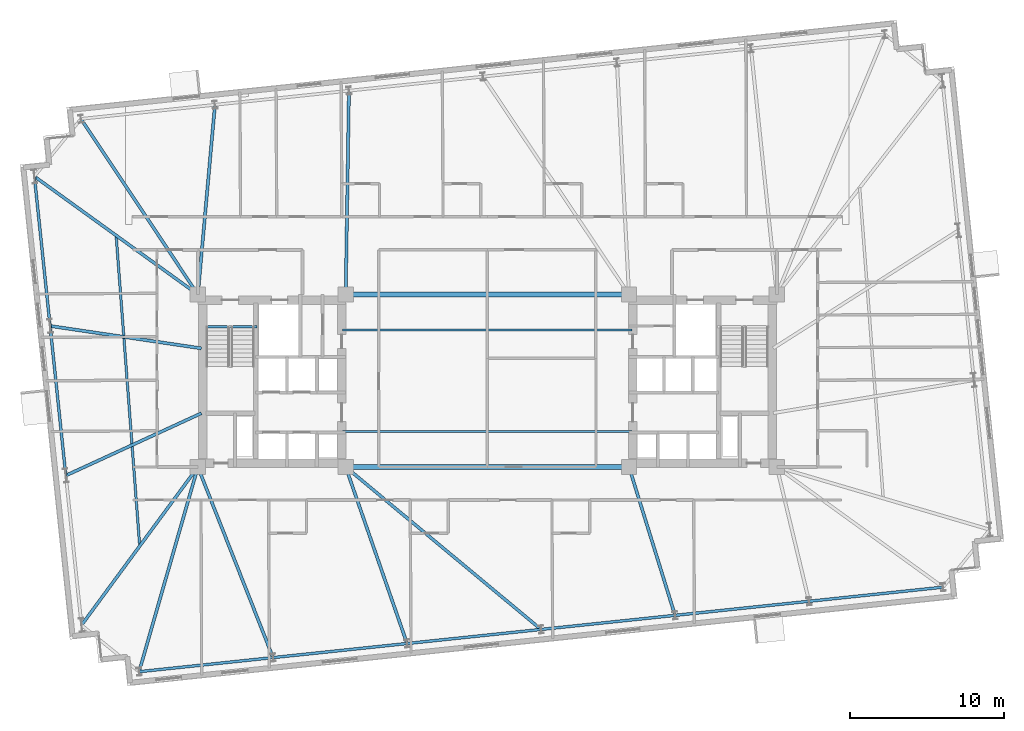
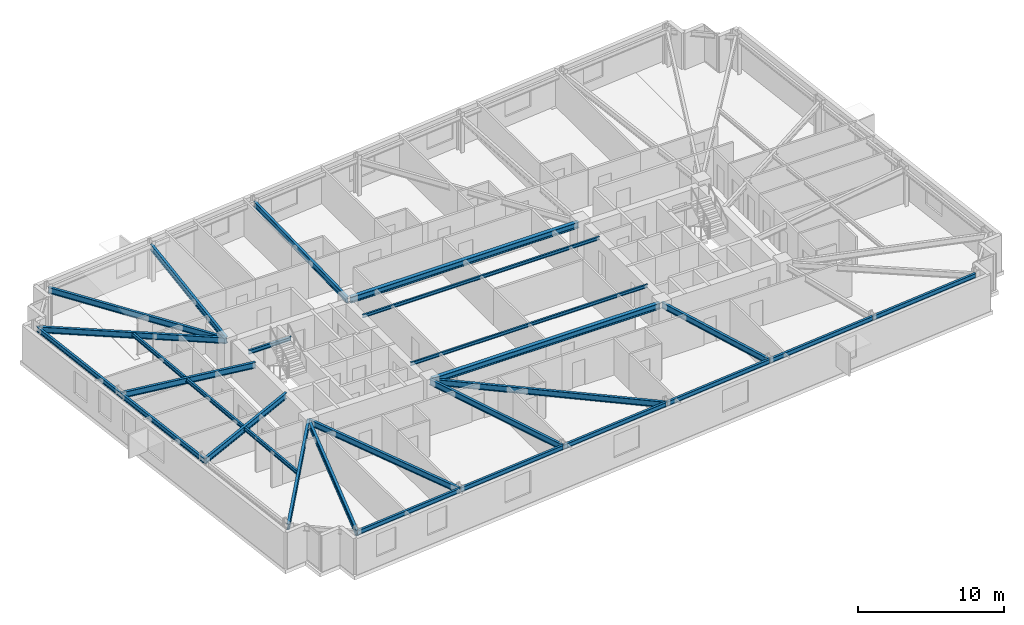
# One storey, part 5 of 20: 26 beams.
"""IFC4 building model written with IfcOpenShell, lengths in metres."""

from ifc_helpers import new_model, si_unit, direction, frame, origin, origin_2d, place, context, subcontext, project, spatial, i_section, extrude, material, material_profile, profile_set, type_object, element, save


model = new_model("IFC4")

# Units and contexts
model_context = context("Model", 3, precision=1e-05, world=origin(), true_north=direction((0.0, 1.0)))
body_context = subcontext(model_context, "Body", "Model", "MODEL_VIEW")
ifc_project = project(units=[si_unit("LENGTHUNIT", "METRE"), si_unit("AREAUNIT", "SQUARE_METRE"), si_unit("VOLUMEUNIT", "CUBIC_METRE"), si_unit("PLANEANGLEUNIT", "RADIAN"), si_unit("MASSUNIT", "GRAM", prefix="KILO")], contexts=[model_context])

# Site, building, storey
site_placement = place(None, origin())
site = spatial("IfcSite", under=ifc_project, at=site_placement, CompositionType="ELEMENT")
building_placement = place(site_placement, origin())
building = spatial("IfcBuilding", under=site, at=building_placement, Name="Qobustan Lattice House", CompositionType="ELEMENT")
storey_placement = place(building_placement, frame((0.0, 0.0, 89.050048828125)))
storey = spatial("IfcBuildingStorey", under=building, at=storey_placement, Name="L24", CompositionType="ELEMENT", Elevation=89.050048828125)

# Beams
ifc_material_1 = material(Name="Steel S355", Category="steel")
ifc_material_profile_1 = material_profile(ifc_material_1, i_section(OverallWidth=0.300048828125, OverallDepth=0.5, WebThickness=0.014404296875, FlangeThickness=0.028076171875, FilletRadius=0.027099609375, at=origin_2d()), Name="HEB500")
ifc_profile_set_1 = profile_set([ifc_material_profile_1], Name="Steel S355")
beam_type_1 = type_object("IfcBeamType", Name="BM-CG-HEB500", PredefinedType="USERDEFINED", material=ifc_profile_set_1)
for number, where, z_axis, x_axis, name in (
    (1, (-9.050048828125, -5.60009765625, 2.794921875), (1.0, 0.0, 0.0), (0.0, 1.0, 0.0), "L24 core spine girder CG-CS"),
    (2, (-9.050048828125, 5.60009765625, 2.794921875), (1.0, 0.0, 0.0), (0.0, 1.0, 0.0), "L24 core spine girder CG-CN"),
):
    element("IfcBeam", number, at=place(storey_placement, frame(where, z_axis=z_axis, x_axis=x_axis)), inside=storey, type_object=beam_type_1, Name=name, ObjectType="GIRDER", PredefinedType="USERDEFINED", context=body_context, shape_type="SweptSolid", body=[
        extrude(i_section(OverallWidth=0.300048828125, OverallDepth=0.5, WebThickness=0.014404296875, FlangeThickness=0.028076171875, FilletRadius=0.027099609375, at=origin_2d()), origin(), (0.0, 0.0, 1.0), 18.10009765625),
    ])
ifc_material_2 = material(Name="Steel S355", Category="steel")
ifc_material_profile_2 = material_profile(ifc_material_2, i_section(OverallWidth=0.199951171875, OverallDepth=0.5, WebThickness=0.01025390625, FlangeThickness=0.01611328125, FilletRadius=0.02099609375, at=origin_2d()), Name="IPE500")
ifc_profile_set_2 = profile_set([ifc_material_profile_2], Name="Steel S355")
beam_type_2 = type_object("IfcBeamType", Name="BM-FLG-IPE500", PredefinedType="USERDEFINED", material=ifc_profile_set_2)
beam_1_placement = place(storey_placement, frame((-22.612548828125, -18.87109375, 2.794921875), z_axis=(0.276115177845, 0.961124554136, 0.0), x_axis=(-0.961124554136, 0.276115177845, 0.0)))
element("IfcBeam", 3, at=beam_1_placement, inside=storey, type_object=beam_type_2, Name="L24 primary floor girder RAD-S1W", ObjectType="GIRDER", PredefinedType="USERDEFINED", context=body_context, shape_type="SweptSolid", body=[
    extrude(i_section(OverallWidth=0.199951171875, OverallDepth=0.5, WebThickness=0.01025390625, FlangeThickness=0.01611328125, FilletRadius=0.02099609375, at=origin_2d()), origin(), (0.0, 0.0, 1.0), 13.782958984375),
])
beam_2_placement = place(storey_placement, frame((-13.926513671875, -17.95703125, 2.794921875), z_axis=(-0.366884358141, 0.930266557365, 0.0), x_axis=(-0.930266557365, -0.366884358141, 0.0)))
element("IfcBeam", 4, at=beam_2_placement, inside=storey, type_object=beam_type_2, Name="L24 primary floor girder RAD-S2", ObjectType="GIRDER", PredefinedType="USERDEFINED", context=body_context, shape_type="SweptSolid", body=[
    extrude(i_section(OverallWidth=0.199951171875, OverallDepth=0.5, WebThickness=0.01025390625, FlangeThickness=0.01611328125, FilletRadius=0.02099609375, at=origin_2d()), origin(), (0.0, 0.0, 1.0), 13.25830078125),
])
beam_3_placement = place(storey_placement, frame((-5.223388671875, -17.0419921875, 2.794921875), z_axis=(-0.328289533586, 0.94457714462, 0.0), x_axis=(-0.94457714462, -0.328289533586, 0.0)))
element("IfcBeam", 5, at=beam_3_placement, inside=storey, type_object=beam_type_2, Name="L24 primary floor girder RAD-S3", ObjectType="GIRDER", PredefinedType="USERDEFINED", context=body_context, shape_type="SweptSolid", body=[
    extrude(i_section(OverallWidth=0.199951171875, OverallDepth=0.5, WebThickness=0.01025390625, FlangeThickness=0.01611328125, FilletRadius=0.02099609375, at=origin_2d()), origin(), (0.0, 0.0, 1.0), 12.08837890625),
])
beam_4_placement = place(storey_placement, frame((3.467529296875, -16.135009765625, 2.794921875), z_axis=(-0.768858311844, 0.639419186691, 0.0), x_axis=(-0.639419186691, -0.768858311844, 0.0)))
element("IfcBeam", 6, at=beam_4_placement, inside=storey, type_object=beam_type_2, Name="L24 primary floor girder RAD-S4", ObjectType="GIRDER", PredefinedType="USERDEFINED", context=body_context, shape_type="SweptSolid", body=[
    extrude(i_section(OverallWidth=0.199951171875, OverallDepth=0.5, WebThickness=0.01025390625, FlangeThickness=0.01611328125, FilletRadius=0.02099609375, at=origin_2d()), origin(), (0.0, 0.0, 1.0), 16.450927734375),
])
beam_5_placement = place(storey_placement, frame((12.181396484375, -15.212646484375, 2.794921875), z_axis=(-0.296219460995, 0.955119903953, 0.0), x_axis=(-0.955119903953, -0.296219460995, 0.0)))
element("IfcBeam", 7, at=beam_5_placement, inside=storey, type_object=beam_type_2, Name="L24 primary floor girder RAD-S5", ObjectType="GIRDER", PredefinedType="USERDEFINED", context=body_context, shape_type="SweptSolid", body=[
    extrude(i_section(OverallWidth=0.199951171875, OverallDepth=0.5, WebThickness=0.01025390625, FlangeThickness=0.01611328125, FilletRadius=0.02099609375, at=origin_2d()), origin(), (0.0, 0.0, 1.0), 10.03955078125),
])
beam_6_placement = place(storey_placement, frame((-26.37890625, 16.986328125, 2.794921875), z_axis=(0.5540893103, -0.832457227857, 0.0), x_axis=(0.832457227857, 0.5540893103, 0.0)))
element("IfcBeam", 8, at=beam_6_placement, inside=storey, type_object=beam_type_2, Name="L24 primary floor girder RAD-N7W", ObjectType="GIRDER", PredefinedType="USERDEFINED", context=body_context, shape_type="SweptSolid", body=[
    extrude(i_section(OverallWidth=0.199951171875, OverallDepth=0.5, WebThickness=0.01025390625, FlangeThickness=0.01611328125, FilletRadius=0.02099609375, at=origin_2d()), origin(), (0.0, 0.0, 1.0), 13.65283203125),
])
beam_7_placement = place(storey_placement, frame((-17.693115234375, 17.89697265625, 2.794921875), z_axis=(-0.089658533603, -0.995972563554, 0.0), x_axis=(0.995972563554, -0.089658533603, 0.0)))
element("IfcBeam", 9, at=beam_7_placement, inside=storey, type_object=beam_type_2, Name="L24 primary floor girder RAD-N6", ObjectType="GIRDER", PredefinedType="USERDEFINED", context=body_context, shape_type="SweptSolid", body=[
    extrude(i_section(OverallWidth=0.199951171875, OverallDepth=0.5, WebThickness=0.01025390625, FlangeThickness=0.01611328125, FilletRadius=0.02099609375, at=origin_2d()), origin(), (0.0, 0.0, 1.0), 12.321533203125),
])
beam_8_placement = place(storey_placement, frame((-8.9892578125, 18.8115234375, 2.794921875), z_axis=(-0.015957384359, -0.999872672836, 0.0), x_axis=(0.999872672836, -0.015957384359, 0.0)))
element("IfcBeam", 10, at=beam_8_placement, inside=storey, type_object=beam_type_2, Name="L24 primary floor girder RAD-N5", ObjectType="GIRDER", PredefinedType="USERDEFINED", context=body_context, shape_type="SweptSolid", body=[
    extrude(i_section(OverallWidth=0.199951171875, OverallDepth=0.5, WebThickness=0.01025390625, FlangeThickness=0.01611328125, FilletRadius=0.02099609375, at=origin_2d()), origin(), (0.0, 0.0, 1.0), 13.188232421875),
])
beam_9_placement = place(storey_placement, frame((-29.398681640625, 13.255859375, 2.794921875), z_axis=(0.810627425394, -0.585562274399, 0.0), x_axis=(0.585562274399, 0.810627425394, 0.0)))
element("IfcBeam", 11, at=beam_9_placement, inside=storey, type_object=beam_type_2, Name="L24 primary floor girder RAD-W1", ObjectType="GIRDER", PredefinedType="USERDEFINED", context=body_context, shape_type="SweptSolid", body=[
    extrude(i_section(OverallWidth=0.199951171875, OverallDepth=0.5, WebThickness=0.01025390625, FlangeThickness=0.01611328125, FilletRadius=0.02099609375, at=origin_2d()), origin(), (0.0, 0.0, 1.0), 13.049560546875),
])
beam_10_placement = place(storey_placement, frame((-28.373291015625, 3.5537109375, 2.794921875), z_axis=(0.989228195022, -0.146381618294, 0.0), x_axis=(0.146381618294, 0.989228195022, 0.0)))
element("IfcBeam", 12, at=beam_10_placement, inside=storey, type_object=beam_type_2, Name="L24 primary floor girder RAD-W2", ObjectType="GIRDER", PredefinedType="USERDEFINED", context=body_context, shape_type="SweptSolid", body=[
    extrude(i_section(OverallWidth=0.199951171875, OverallDepth=0.5, WebThickness=0.01025390625, FlangeThickness=0.01611328125, FilletRadius=0.02099609375, at=origin_2d()), origin(), (0.0, 0.0, 1.0), 9.9052734375),
])
beam_11_placement = place(storey_placement, frame((-27.3544921875, -6.1455078125, 2.794921875), z_axis=(0.908664928826, 0.417526103521, 0.0), x_axis=(-0.417526103521, 0.908664928826, 0.0)))
element("IfcBeam", 13, at=beam_11_placement, inside=storey, type_object=beam_type_2, Name="L24 primary floor girder RAD-W3", ObjectType="GIRDER", PredefinedType="USERDEFINED", context=body_context, shape_type="SweptSolid", body=[
    extrude(i_section(OverallWidth=0.199951171875, OverallDepth=0.5, WebThickness=0.01025390625, FlangeThickness=0.01611328125, FilletRadius=0.02099609375, at=origin_2d()), origin(), (0.0, 0.0, 1.0), 9.66455078125),
])
beam_12_placement = place(storey_placement, frame((-26.34130859375, -15.848876953125, 2.794921875), z_axis=(0.592669703312, 0.805445605101, 0.0), x_axis=(-0.805445605101, 0.592669703312, 0.0)))
element("IfcBeam", 14, at=beam_12_placement, inside=storey, type_object=beam_type_2, Name="L24 primary floor girder RAD-W4", ObjectType="GIRDER", PredefinedType="USERDEFINED", context=body_context, shape_type="SweptSolid", body=[
    extrude(i_section(OverallWidth=0.199951171875, OverallDepth=0.5, WebThickness=0.01025390625, FlangeThickness=0.01611328125, FilletRadius=0.02099609375, at=origin_2d()), origin(), (0.0, 0.0, 1.0), 12.699462890625),
])
ifc_material_3 = material(Name="Steel S355", Category="steel")
ifc_material_profile_3 = material_profile(ifc_material_3, i_section(OverallWidth=0.135009765625, OverallDepth=0.27001953125, WebThickness=0.006591796875, FlangeThickness=0.01025390625, FilletRadius=0.014892578125, at=origin_2d()), Name="IPE270")
ifc_profile_set_3 = profile_set([ifc_material_profile_3], Name="Steel S355")
beam_type_3 = type_object("IfcBeamType", Name="BM-JST-IPE270", PredefinedType="JOIST", material=ifc_profile_set_3)
for number, where, z_axis, x_axis, name in (
    (15, (-9.39990234375, -3.300048828125, 2.909912109375), (1.0, 0.0, 0.0), (0.0, 1.0, 0.0), "L24 central span floor joist 1"),
    (16, (-9.39990234375, 3.300048828125, 2.909912109375), (1.0, 0.0, 0.0), (0.0, 1.0, 0.0), "L24 central span floor joist 2"),
):
    element("IfcBeam", number, at=place(storey_placement, frame(where, z_axis=z_axis, x_axis=x_axis)), inside=storey, type_object=beam_type_3, Name=name, PredefinedType="JOIST", context=body_context, shape_type="SweptSolid", body=[
        extrude(i_section(OverallWidth=0.135009765625, OverallDepth=0.27001953125, WebThickness=0.006591796875, FlangeThickness=0.01025390625, FilletRadius=0.014892578125, at=origin_2d()), origin(), (0.0, 0.0, 1.0), 18.7998046875),
    ])
ifc_material_4 = material(Name="Steel S355", Category="steel")
ifc_material_profile_4 = material_profile(ifc_material_4, i_section(OverallWidth=0.159912109375, OverallDepth=0.330078125, WebThickness=0.007568359375, FlangeThickness=0.011474609375, FilletRadius=0.01806640625, at=origin_2d()), Name="IPE330")
ifc_profile_set_4 = profile_set([ifc_material_profile_4], Name="Steel S355")
beam_type_4 = type_object("IfcBeamType", Name="BM-SEC-IPE330", PredefinedType="BEAM", material=ifc_profile_set_4)
beam_13_placement = place(storey_placement, frame((-24.109619140625, 9.435302734375, 2.8798828125), z_axis=(0.07571166528, -0.997129752711, 0.0), x_axis=(0.997129752711, 0.07571166528, 0.0)))
element("IfcBeam", 17, at=beam_13_placement, inside=storey, type_object=beam_type_4, Name="L24 west wing secondary beam", PredefinedType="BEAM", context=body_context, shape_type="SweptSolid", body=[
    extrude(i_section(OverallWidth=0.159912109375, OverallDepth=0.330078125, WebThickness=0.007568359375, FlangeThickness=0.011474609375, FilletRadius=0.01806640625, at=origin_2d()), origin(), (0.0, 0.0, 1.0), 20.22802734375),
])
ifc_material_5 = material(Name="Steel S355", Category="steel")
ifc_material_profile_5 = material_profile(ifc_material_5, i_section(OverallWidth=0.159912109375, OverallDepth=0.330078125, WebThickness=0.007568359375, FlangeThickness=0.011474609375, FilletRadius=0.01806640625, at=origin_2d()), Name="IPE330")
ifc_profile_set_5 = profile_set([ifc_material_profile_5], Name="Steel S355")
beam_type_5 = type_object("IfcBeamType", Name="BM-SPD-IPE330", PredefinedType="SPANDREL", material=ifc_profile_set_5)
beam_14_placement = place(storey_placement, frame((-18.300048828125, 3.52001953125, 2.8798828125), z_axis=(1.0, 0.0, 0.0), x_axis=(0.0, 1.0, 0.0)))
element("IfcBeam", 18, at=beam_14_placement, inside=storey, type_object=beam_type_5, Name="L24 west stair landing trimmer beam", PredefinedType="SPANDREL", context=body_context, shape_type="SweptSolid", body=[
    extrude(i_section(OverallWidth=0.159912109375, OverallDepth=0.330078125, WebThickness=0.007568359375, FlangeThickness=0.011474609375, FilletRadius=0.01806640625, at=origin_2d()), origin(), (0.0, 0.0, 1.0), 3.35009765625),
])
ifc_material_6 = material(Name="Steel S355", Category="steel")
ifc_material_profile_6 = material_profile(ifc_material_6, i_section(OverallWidth=0.179931640625, OverallDepth=0.39990234375, WebThickness=0.008544921875, FlangeThickness=0.013427734375, FilletRadius=0.02099609375, at=origin_2d()), Name="IPE400")
ifc_profile_set_6 = profile_set([ifc_material_profile_6], Name="Steel S355")
beam_type_6 = type_object("IfcBeamType", Name="BM-SPD-IPE400", PredefinedType="SPANDREL", material=ifc_profile_set_6)
beam_15_placement = place(storey_placement, frame((-22.594482421875, -18.892333984375, 2.844970703125), z_axis=(0.994521279781, 0.10453432002, 0.0), x_axis=(-0.10453432002, 0.994521279781, 0.0)))
element("IfcBeam", 19, at=beam_15_placement, inside=storey, type_object=beam_type_6, Name="L24 perimeter spandrel S1-S2", PredefinedType="SPANDREL", context=body_context, shape_type="SweptSolid", body=[
    extrude(i_section(OverallWidth=0.179931640625, OverallDepth=0.39990234375, WebThickness=0.008544921875, FlangeThickness=0.013427734375, FilletRadius=0.02099609375, at=origin_2d()), origin(), (0.0, 0.0, 1.0), 8.69970703125),
])
for number, where, z_axis, x_axis, name in (
    (20, (-13.892578125, -17.977783203125, 2.844970703125), (0.994521586424, 0.104531402636, 0.0), (-0.104531402636, 0.994521586424, 0.0), "L24 perimeter spandrel S2-S3"),
    (21, (-5.1904296875, -17.06298828125, 2.844970703125), (0.994524503348, 0.104503647022, 0.0), (-0.104503647022, 0.994524503348, 0.0), "L24 perimeter spandrel S3-S4"),
):
    element("IfcBeam", number, at=place(storey_placement, frame(where, z_axis=z_axis, x_axis=x_axis)), inside=storey, type_object=beam_type_6, Name=name, PredefinedType="SPANDREL", context=body_context, shape_type="SweptSolid", body=[
        extrude(i_section(OverallWidth=0.179931640625, OverallDepth=0.39990234375, WebThickness=0.008544921875, FlangeThickness=0.013427734375, FilletRadius=0.02099609375, at=origin_2d()), origin(), (0.0, 0.0, 1.0), 8.699951171875),
    ])
beam_16_placement = place(storey_placement, frame((3.51171875, -16.1484375, 2.844970703125), z_axis=(0.994521279781, 0.10453432002, 0.0), x_axis=(-0.10453432002, 0.994521279781, 0.0)))
element("IfcBeam", 22, at=beam_16_placement, inside=storey, type_object=beam_type_6, Name="L24 perimeter spandrel S4-S5", PredefinedType="SPANDREL", context=body_context, shape_type="SweptSolid", body=[
    extrude(i_section(OverallWidth=0.179931640625, OverallDepth=0.39990234375, WebThickness=0.008544921875, FlangeThickness=0.013427734375, FilletRadius=0.02099609375, at=origin_2d()), origin(), (0.0, 0.0, 1.0), 8.69970703125),
])
for number, where, z_axis, x_axis, name in (
    (23, (12.213623046875, -15.23388671875, 2.844970703125), (0.994521586424, 0.104531402636, 0.0), (-0.104531402636, 0.994521586424, 0.0), "L24 perimeter spandrel S5-S6"),
    (24, (20.915771484375, -14.3193359375, 2.844970703125), (0.994521586424, 0.104531402636, 0.0), (-0.104531402636, 0.994521586424, 0.0), "L24 perimeter spandrel S6-S7"),
):
    element("IfcBeam", number, at=place(storey_placement, frame(where, z_axis=z_axis, x_axis=x_axis)), inside=storey, type_object=beam_type_6, Name=name, PredefinedType="SPANDREL", context=body_context, shape_type="SweptSolid", body=[
        extrude(i_section(OverallWidth=0.179931640625, OverallDepth=0.39990234375, WebThickness=0.008544921875, FlangeThickness=0.013427734375, FilletRadius=0.02099609375, at=origin_2d()), origin(), (0.0, 0.0, 1.0), 8.699951171875),
    ])
beam_17_placement = place(storey_placement, frame((-29.416259765625, 13.24560546875, 2.844970703125), z_axis=(0.104525214252, -0.994522236848, 0.0), x_axis=(0.994522236848, 0.104525214252, 0.0)))
element("IfcBeam", 25, at=beam_17_placement, inside=storey, type_object=beam_type_6, Name="L24 perimeter spandrel W1-W2", PredefinedType="SPANDREL", context=body_context, shape_type="SweptSolid", body=[
    extrude(i_section(OverallWidth=0.179931640625, OverallDepth=0.39990234375, WebThickness=0.008544921875, FlangeThickness=0.013427734375, FilletRadius=0.02099609375, at=origin_2d()), origin(), (0.0, 0.0, 1.0), 9.716552734375),
])
beam_18_placement = place(storey_placement, frame((-28.3955078125, 3.532470703125, 2.844970703125), z_axis=(0.104547453407, -0.994519899241, 0.0), x_axis=(0.994519899241, 0.104547453407, 0.0)))
element("IfcBeam", 26, at=beam_18_placement, inside=storey, type_object=beam_type_6, Name="L24 perimeter spandrel W2-W3", PredefinedType="SPANDREL", context=body_context, shape_type="SweptSolid", body=[
    extrude(i_section(OverallWidth=0.179931640625, OverallDepth=0.39990234375, WebThickness=0.008544921875, FlangeThickness=0.013427734375, FilletRadius=0.02099609375, at=origin_2d()), origin(), (0.0, 0.0, 1.0), 9.716796875),
])

save(model, "model.ifc")
